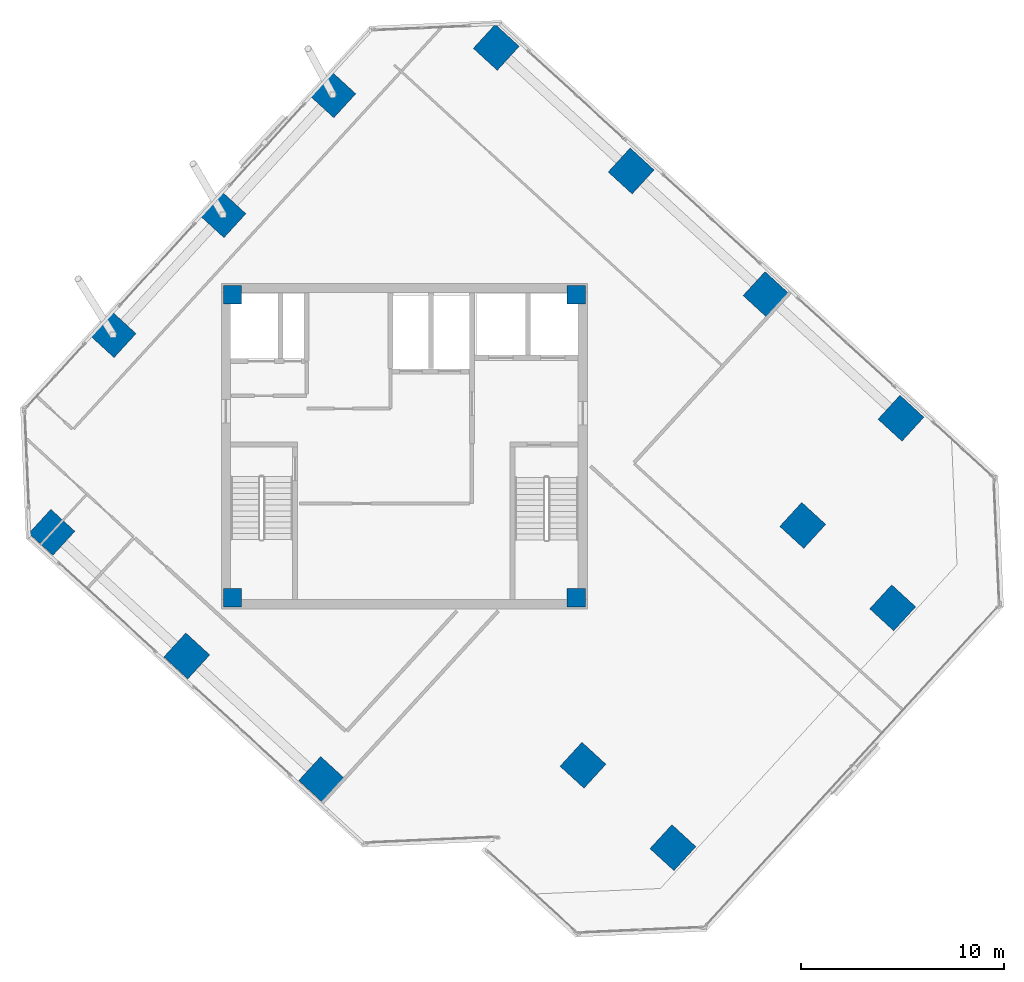
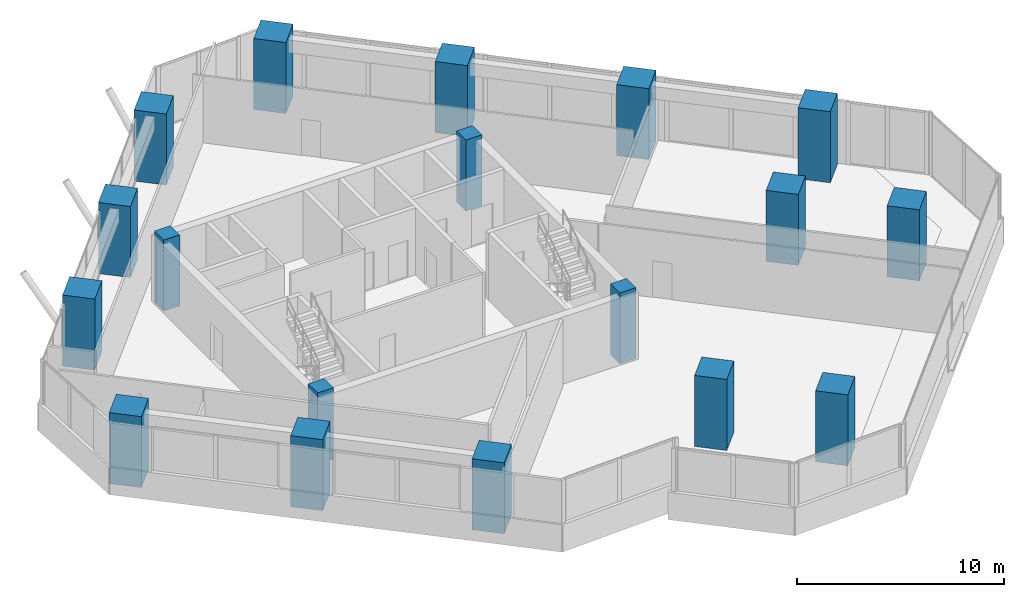
# One storey, part 1 of 18: 18 columns.
"""IFC4 building model written with IfcOpenShell, lengths in metres."""

from ifc_helpers import new_model, si_unit, direction, frame, origin, origin_2d, place, context, subcontext, project, spatial, rectangle, extrude, source, transform, mapped, material, material_profile, profile_set, type_object, element, save


model = new_model("IFC4")

# Units and contexts
model_context = context("Model", 3, precision=1e-05, world=origin(), true_north=direction((0.0, 1.0)))
body_context = subcontext(model_context, "Body", "Model", "MODEL_VIEW")
ifc_project = project(units=[si_unit("LENGTHUNIT", "METRE"), si_unit("AREAUNIT", "SQUARE_METRE"), si_unit("VOLUMEUNIT", "CUBIC_METRE"), si_unit("PLANEANGLEUNIT", "RADIAN"), si_unit("MASSUNIT", "GRAM", prefix="KILO")], contexts=[model_context])

# Site, building, storey
site_placement = place(None, origin())
site = spatial("IfcSite", under=ifc_project, at=site_placement, CompositionType="ELEMENT")
building_placement = place(site_placement, origin())
building = spatial("IfcBuilding", under=site, at=building_placement, Name="Torre Montelarca", CompositionType="ELEMENT")
storey_placement = place(building_placement, frame((0.0, 0.0, 237.39990234375)))
storey = spatial("IfcBuildingStorey", under=building, at=storey_placement, Name="L53", CompositionType="ELEMENT", Elevation=237.39990234375)

# Columns
ifc_material_1 = material(Name="Concrete C55/67", Category="concrete")
ifc_material_profile_1 = material_profile(ifc_material_1, rectangle(XDim=0.89990234375, YDim=0.89990234375, at=origin_2d()), Name="RC900X900", Category="concrete")
ifc_profile_set_1 = profile_set([ifc_material_profile_1], Name="Concrete C55/67")
column_type_1 = type_object("IfcColumnType", Name="COL-RC900", PredefinedType="COLUMN", material=ifc_profile_set_1)
shared_shape_1 = source(origin(), body_context, "Body", "SweptSolid", [
    extrude(rectangle(XDim=0.89990234375, YDim=0.89990234375, at=origin_2d()), origin(), (0.0, 0.0, 1.0), 4.19873046875),
])
for number, where, z_axis, x_axis, name in (
    (1, (9.550048828125, 24.550048828125, 0.000732421875), (0.0, 0.0, 1.0), (1.0, 0.0, 0.0), "L53 Plumb Core Corner Column 2D"),
    (2, (26.449951171875, 24.550048828125, 0.000732421875), (0.0, 0.0, 1.0), (1.0, 0.0, 0.0), "L53 Plumb Core Corner Column 4D"),
    (3, (9.550048828125, 39.449951171875, 0.000732421875), (0.0, 0.0, 1.0), (1.0, 0.0, 0.0), "L53 Plumb Core Corner Column 2F"),
    (4, (26.449951171875, 39.449951171875, 0.000732421875), (0.0, 0.0, 1.0), (1.0, 0.0, 0.0), "L53 Plumb Core Corner Column 4F"),
):
    element("IfcColumn", number, at=place(storey_placement, frame(where, z_axis=z_axis, x_axis=x_axis)), inside=storey, type_object=column_type_1, Name=name, PredefinedType="COLUMN", context=body_context, shape_type="MappedRepresentation", body=[
        mapped(shared_shape_1, transform((0.0, 0.0, 0.0), scale=1.0)),
    ])
ifc_material_2 = material(Name="Concrete C70/85", Category="concrete")
ifc_material_profile_2 = material_profile(ifc_material_2, rectangle(XDim=1.60009765625, YDim=1.60009765625, at=origin_2d()), Name="RC1600X1600", Category="concrete")
ifc_profile_set_2 = profile_set([ifc_material_profile_2], Name="Concrete C70/85")
column_type_2 = type_object("IfcColumnType", Name="COL-RC1600-EXT", PredefinedType="COLUMN", material=ifc_profile_set_2)
shared_shape_2 = source(origin(), body_context, "Body", "SweptSolid", [
    extrude(rectangle(XDim=1.60009765625, YDim=1.60009765625, at=origin_2d()), origin(), (0.0, 0.0, 1.0), 4.19873046875),
])
for number, where, z_axis, x_axis, name in (
    (5, (0.663818359375, 27.763671875, 0.000732421875), (0.0, 0.0, 1.0), (-0.73727733681, 0.675590207616, 0.0), "L53 Perimeter Mega Column 2/CS"),
    (6, (22.519287109375, 51.614501953125, 0.000732421875), (0.0, 0.0, 1.0), (-0.73727733681, 0.675590207616, 0.0), "L53 Perimeter Mega Column 2/GN"),
    (7, (7.29931640625, 21.683349609375, 0.000732421875), (0.0, 0.0, 1.0), (-0.73727733681, 0.675590207616, 0.0), "L53 Perimeter Mega Column 3/CS"),
    (8, (29.15478515625, 45.5341796875, 0.000732421875), (0.0, 0.0, 1.0), (-0.73727733681, 0.675590207616, 0.0), "L53 Perimeter Mega Column 3/GN"),
    (9, (13.934814453125, 15.60302734375, 0.000732421875), (0.0, 0.0, 1.0), (-0.73727733681, 0.675590207616, 0.0), "L53 Perimeter Mega Column 4/CS"),
    (10, (35.790283203125, 39.4541015625, 0.000732421875), (0.0, 0.0, 1.0), (-0.73727733681, 0.675590207616, 0.0), "L53 Perimeter Mega Column 4/GN"),
    (11, (42.42578125, 33.373779296875, 0.000732421875), (0.0, 0.0, 1.0), (-0.73727733681, 0.675590207616, 0.0), "L53 Perimeter Mega Column 5/GN"),
    (12, (31.20947265625, 12.252197265625, 0.000732421875), (0.0, 0.0, 1.0), (-0.73727733681, 0.675590207616, 0.0), "L53 Perimeter Mega Column 6/D"),
    (13, (42.018798828125, 24.048583984375, 0.000732421875), (0.0, 0.0, 1.0), (-0.73727733681, 0.675590207616, 0.0), "L53 Perimeter Mega Column 6/F"),
    (14, (3.672119140625, 37.485595703125, 0.000732421875), (0.0, 0.0, 1.0), (-0.73727733681, 0.675590207616, 0.0), "L53 Perimeter Mega Column 1W/D"),
    (15, (9.076904296875, 43.3837890625, 0.000732421875), (0.0, 0.0, 1.0), (-0.73727733681, 0.675590207616, 0.0), "L53 Perimeter Mega Column 1W/E"),
    (16, (14.481689453125, 49.281982421875, 0.000732421875), (0.0, 0.0, 1.0), (-0.73727733681, 0.675590207616, 0.0), "L53 Perimeter Mega Column 1W/F"),
):
    element("IfcColumn", number, at=place(storey_placement, frame(where, z_axis=z_axis, x_axis=x_axis)), inside=storey, type_object=column_type_2, Name=name, PredefinedType="COLUMN", context=body_context, shape_type="MappedRepresentation", body=[
        mapped(shared_shape_2, transform((0.0, 0.0, 0.0), scale=1.0)),
    ])
ifc_material_profile_3 = material_profile(ifc_material_2, rectangle(XDim=1.60009765625, YDim=1.60009765625, at=origin_2d()), Name="RC1600X1600", Category="concrete")
ifc_profile_set_3 = profile_set([ifc_material_profile_3], Name="Concrete C70/85")
column_type_3 = type_object("IfcColumnType", Name="COL-RC1600", PredefinedType="COLUMN", material=ifc_profile_set_3)
shared_shape_3 = source(origin(), body_context, "Body", "SweptSolid", [
    extrude(rectangle(XDim=1.60009765625, YDim=1.60009765625, at=origin_2d()), origin(), (0.0, 0.0, 1.0), 4.19873046875),
])
for number, where, z_axis, x_axis, name in (
    (17, (26.785888671875, 16.3056640625, 0.000732421875), (0.0, 0.0, 1.0), (-0.73727733681, 0.675590207616, 0.0), "L53 Column 5/D"),
    (18, (37.59521484375, 28.102294921875, 0.000732421875), (0.0, 0.0, 1.0), (-0.73727733681, 0.675590207616, 0.0), "L53 Column 5/F"),
):
    element("IfcColumn", number, at=place(storey_placement, frame(where, z_axis=z_axis, x_axis=x_axis)), inside=storey, type_object=column_type_3, Name=name, PredefinedType="COLUMN", context=body_context, shape_type="MappedRepresentation", body=[
        mapped(shared_shape_3, transform((0.0, 0.0, 0.0), scale=1.0)),
    ])

save(model, "model.ifc")
